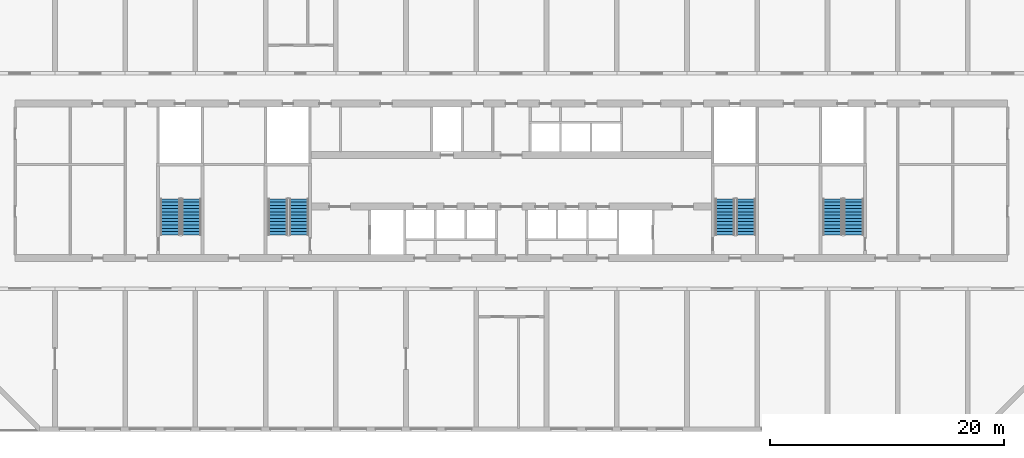
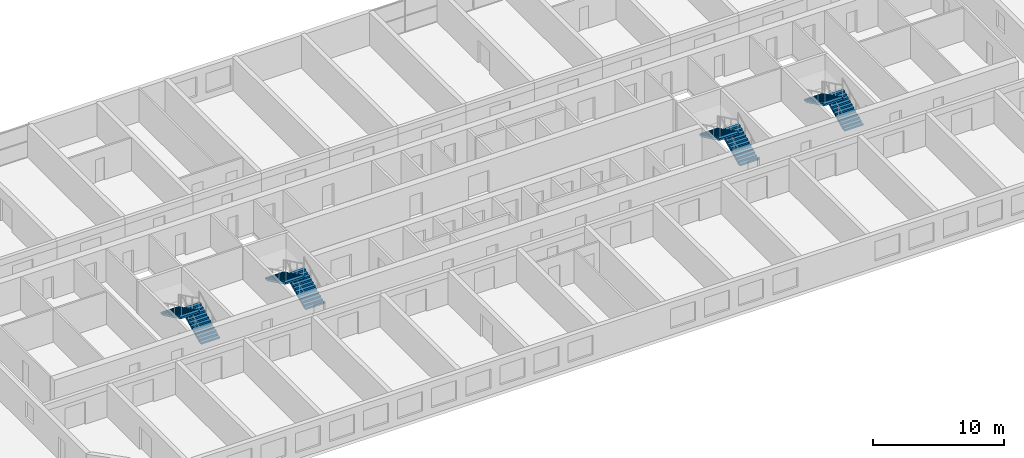
# One storey, part 17 of 21: 8 stair flights, 4 elements without a shape of their own.
"""IFC4 building model written with IfcOpenShell, lengths in metres."""

from ifc_helpers import new_model, si_unit, direction, frame, origin, place, context, subcontext, project, spatial, polyline, outline, extrude, material, layer, layer_set, type_object, element, aggregate, save


model = new_model("IFC4")

# Units and contexts
model_context = context("Model", 3, precision=1e-05, world=origin(), true_north=direction((0.0, 1.0)))
body_context = subcontext(model_context, "Body", "Model", "MODEL_VIEW")
ifc_project = project(units=[si_unit("LENGTHUNIT", "METRE"), si_unit("AREAUNIT", "SQUARE_METRE"), si_unit("VOLUMEUNIT", "CUBIC_METRE"), si_unit("PLANEANGLEUNIT", "RADIAN"), si_unit("MASSUNIT", "GRAM", prefix="KILO")], contexts=[model_context])

# Site, building, storey
site_placement = place(None, origin())
site = spatial("IfcSite", under=ifc_project, at=site_placement, CompositionType="ELEMENT")
building_placement = place(site_placement, origin())
building = spatial("IfcBuilding", under=site, at=building_placement, Name="Poui Terraces", CompositionType="ELEMENT")
storey_placement = place(building_placement, frame((0.0, 0.0, 53.10009765625)))
storey = spatial("IfcBuildingStorey", under=building, at=storey_placement, Name="L14", CompositionType="ELEMENT", Elevation=53.10009765625)

# Stair, stair flights
ifc_material = material(Name="Concrete 80 MPa", Category="concrete")
stair_type = type_object("IfcStairType", Name="EXIT STAIR 1650 80 MPA", PredefinedType="HALF_TURN_STAIR", material=ifc_material)
stair_1_placement = place(storey_placement, origin())
stair_1 = element("IfcStair", 1, at=stair_1_placement, inside=storey, type_object=stair_type, Name="L14 CORE STAIR EAST", PredefinedType="HALF_TURN_STAIR")
ifc_layer = layer(ifc_material, 0.14990234375)
ifc_layer_set = layer_set([ifc_layer], Name="Concrete 80 MPa")
stair_flight_type = type_object("IfcStairFlightType", Name="STAIR FLIGHT 12 RISERS 138 RISE 80 MPA", PredefinedType="STRAIGHT", material=ifc_layer_set)
stair_flight_1_placement = place(storey_placement, frame((71.050048828125, 16.60009765625, 0.0), z_axis=(0.0, 0.0, 1.0), x_axis=(0.0, 1.0, 0.0)))
stair_flight_1 = element("IfcStairFlight", 2, at=stair_flight_1_placement, type_object=stair_flight_type, Name="ST-CE flight 1", NumberOfRisers=12, NumberOfTreads=11, PredefinedType="STRAIGHT", RiserHeight=0.1375, TreadLength=0.28, context=body_context, shape_type="SweptSolid", body=[
    extrude(outline(polyline([(0.0, 0.0), (0.0, 0.137451171875), (0.280029296875, 0.137451171875), (0.280029296875, 0.27490234375), (0.56005859375, 0.27490234375), (0.56005859375, 0.41259765625), (0.840087890625, 0.41259765625), (0.840087890625, 0.550048828125), (1.1201171875, 0.550048828125), (1.1201171875, 0.6875), (1.39990234375, 0.6875), (1.39990234375, 0.824951171875), (1.679931640625, 0.824951171875), (1.679931640625, 0.96240234375), (1.9599609375, 0.96240234375), (1.9599609375, 1.10009765625), (2.239990234375, 1.10009765625), (2.239990234375, 1.237548828125), (2.52001953125, 1.237548828125), (2.52001953125, 1.375), (2.800048828125, 1.375), (2.800048828125, 1.512451171875), (3.080078125, 1.512451171875), (3.080078125, 1.64990234375), (3.080078125, 1.345458984375), (0.340087890625, 0.0), (0.0, 0.0)])), frame((0.0, 0.824951171875, 0.0), z_axis=(0.0, -1.0, 0.0), x_axis=(1.0, 0.0, 0.0)), (0.0, 0.0, 1.0), 1.64990234375),
])
stair_flight_2_placement = place(storey_placement, frame((69.25, 19.679931640625, 1.64990234375), z_axis=(0.0, 0.0, 1.0), x_axis=(0.0, -1.0, 0.0)))
stair_flight_2 = element("IfcStairFlight", 3, at=stair_flight_2_placement, type_object=stair_flight_type, Name="ST-CE flight 2", NumberOfRisers=12, NumberOfTreads=11, PredefinedType="STRAIGHT", RiserHeight=0.1375, TreadLength=0.28, context=body_context, shape_type="SweptSolid", body=[
    extrude(outline(polyline([(0.0, 0.0), (0.0, 0.137451171875), (0.280029296875, 0.137451171875), (0.280029296875, 0.27490234375), (0.56005859375, 0.27490234375), (0.56005859375, 0.41259765625), (0.840087890625, 0.41259765625), (0.840087890625, 0.550048828125), (1.1201171875, 0.550048828125), (1.1201171875, 0.6875), (1.39990234375, 0.6875), (1.39990234375, 0.824951171875), (1.679931640625, 0.824951171875), (1.679931640625, 0.96240234375), (1.9599609375, 0.96240234375), (1.9599609375, 1.10009765625), (2.239990234375, 1.10009765625), (2.239990234375, 1.237548828125), (2.52001953125, 1.237548828125), (2.52001953125, 1.375), (2.800048828125, 1.375), (2.800048828125, 1.512451171875), (3.080078125, 1.512451171875), (3.080078125, 1.64990234375), (3.080078125, 1.345458984375), (0.340087890625, 0.0), (0.0, 0.0)])), frame((0.0, 0.824951171875, 0.0), z_axis=(0.0, -1.0, 0.0), x_axis=(1.0, 0.0, 0.0)), (0.0, 0.0, 1.0), 1.64990234375),
])
aggregate(stair_1, [stair_flight_1, stair_flight_2])

stair_2_placement = place(storey_placement, origin())
stair_2 = element("IfcStair", 4, at=stair_2_placement, inside=storey, type_object=stair_type, Name="L14 CORE STAIR WEST", PredefinedType="HALF_TURN_STAIR")
stair_flight_3_placement = place(storey_placement, frame((32.85009765625, 16.60009765625, 0.0), z_axis=(0.0, 0.0, 1.0), x_axis=(0.0, 1.0, 0.0)))
stair_flight_3 = element("IfcStairFlight", 5, at=stair_flight_3_placement, type_object=stair_flight_type, Name="ST-CW flight 1", NumberOfRisers=12, NumberOfTreads=11, PredefinedType="STRAIGHT", RiserHeight=0.1375, TreadLength=0.28, context=body_context, shape_type="SweptSolid", body=[
    extrude(outline(polyline([(0.0, 0.0), (0.0, 0.137451171875), (0.280029296875, 0.137451171875), (0.280029296875, 0.27490234375), (0.56005859375, 0.27490234375), (0.56005859375, 0.41259765625), (0.840087890625, 0.41259765625), (0.840087890625, 0.550048828125), (1.1201171875, 0.550048828125), (1.1201171875, 0.6875), (1.39990234375, 0.6875), (1.39990234375, 0.824951171875), (1.679931640625, 0.824951171875), (1.679931640625, 0.96240234375), (1.9599609375, 0.96240234375), (1.9599609375, 1.10009765625), (2.239990234375, 1.10009765625), (2.239990234375, 1.237548828125), (2.52001953125, 1.237548828125), (2.52001953125, 1.375), (2.800048828125, 1.375), (2.800048828125, 1.512451171875), (3.080078125, 1.512451171875), (3.080078125, 1.64990234375), (3.080078125, 1.345458984375), (0.340087890625, 0.0), (0.0, 0.0)])), frame((0.0, 0.824951171875, 0.0), z_axis=(0.0, -1.0, 0.0), x_axis=(1.0, 0.0, 0.0)), (0.0, 0.0, 1.0), 1.64990234375),
])
stair_flight_4_placement = place(storey_placement, frame((31.050048828125, 19.679931640625, 1.64990234375), z_axis=(0.0, 0.0, 1.0), x_axis=(0.0, -1.0, 0.0)))
stair_flight_4 = element("IfcStairFlight", 6, at=stair_flight_4_placement, type_object=stair_flight_type, Name="ST-CW flight 2", NumberOfRisers=12, NumberOfTreads=11, PredefinedType="STRAIGHT", RiserHeight=0.1375, TreadLength=0.28, context=body_context, shape_type="SweptSolid", body=[
    extrude(outline(polyline([(0.0, 0.0), (0.0, 0.137451171875), (0.280029296875, 0.137451171875), (0.280029296875, 0.27490234375), (0.56005859375, 0.27490234375), (0.56005859375, 0.41259765625), (0.840087890625, 0.41259765625), (0.840087890625, 0.550048828125), (1.1201171875, 0.550048828125), (1.1201171875, 0.6875), (1.39990234375, 0.6875), (1.39990234375, 0.824951171875), (1.679931640625, 0.824951171875), (1.679931640625, 0.96240234375), (1.9599609375, 0.96240234375), (1.9599609375, 1.10009765625), (2.239990234375, 1.10009765625), (2.239990234375, 1.237548828125), (2.52001953125, 1.237548828125), (2.52001953125, 1.375), (2.800048828125, 1.375), (2.800048828125, 1.512451171875), (3.080078125, 1.512451171875), (3.080078125, 1.64990234375), (3.080078125, 1.345458984375), (0.340087890625, 0.0), (0.0, 0.0)])), frame((0.0, 0.824951171875, 0.0), z_axis=(0.0, -1.0, 0.0), x_axis=(1.0, 0.0, 0.0)), (0.0, 0.0, 1.0), 1.64990234375),
])
aggregate(stair_2, [stair_flight_3, stair_flight_4])

stair_3_placement = place(storey_placement, origin())
stair_3 = element("IfcStair", 7, at=stair_3_placement, inside=storey, type_object=stair_type, Name="L14 TIP STAIR EAST", PredefinedType="HALF_TURN_STAIR")
stair_flight_5_placement = place(storey_placement, frame((80.25, 16.60009765625, 0.0), z_axis=(0.0, 0.0, 1.0), x_axis=(0.0, 1.0, 0.0)))
stair_flight_5 = element("IfcStairFlight", 8, at=stair_flight_5_placement, type_object=stair_flight_type, Name="ST-E flight 1", NumberOfRisers=12, NumberOfTreads=11, PredefinedType="STRAIGHT", RiserHeight=0.1375, TreadLength=0.28, context=body_context, shape_type="SweptSolid", body=[
    extrude(outline(polyline([(0.0, 0.0), (0.0, 0.137451171875), (0.280029296875, 0.137451171875), (0.280029296875, 0.27490234375), (0.56005859375, 0.27490234375), (0.56005859375, 0.41259765625), (0.840087890625, 0.41259765625), (0.840087890625, 0.550048828125), (1.1201171875, 0.550048828125), (1.1201171875, 0.6875), (1.39990234375, 0.6875), (1.39990234375, 0.824951171875), (1.679931640625, 0.824951171875), (1.679931640625, 0.96240234375), (1.9599609375, 0.96240234375), (1.9599609375, 1.10009765625), (2.239990234375, 1.10009765625), (2.239990234375, 1.237548828125), (2.52001953125, 1.237548828125), (2.52001953125, 1.375), (2.800048828125, 1.375), (2.800048828125, 1.512451171875), (3.080078125, 1.512451171875), (3.080078125, 1.64990234375), (3.080078125, 1.345458984375), (0.340087890625, 0.0), (0.0, 0.0)])), frame((0.0, 0.824951171875, 0.0), z_axis=(0.0, -1.0, 0.0), x_axis=(1.0, 0.0, 0.0)), (0.0, 0.0, 1.0), 1.64990234375),
])
stair_flight_6_placement = place(storey_placement, frame((78.449951171875, 19.679931640625, 1.64990234375), z_axis=(0.0, 0.0, 1.0), x_axis=(0.0, -1.0, 0.0)))
stair_flight_6 = element("IfcStairFlight", 9, at=stair_flight_6_placement, type_object=stair_flight_type, Name="ST-E flight 2", NumberOfRisers=12, NumberOfTreads=11, PredefinedType="STRAIGHT", RiserHeight=0.1375, TreadLength=0.28, context=body_context, shape_type="SweptSolid", body=[
    extrude(outline(polyline([(0.0, 0.0), (0.0, 0.137451171875), (0.280029296875, 0.137451171875), (0.280029296875, 0.27490234375), (0.56005859375, 0.27490234375), (0.56005859375, 0.41259765625), (0.840087890625, 0.41259765625), (0.840087890625, 0.550048828125), (1.1201171875, 0.550048828125), (1.1201171875, 0.6875), (1.39990234375, 0.6875), (1.39990234375, 0.824951171875), (1.679931640625, 0.824951171875), (1.679931640625, 0.96240234375), (1.9599609375, 0.96240234375), (1.9599609375, 1.10009765625), (2.239990234375, 1.10009765625), (2.239990234375, 1.237548828125), (2.52001953125, 1.237548828125), (2.52001953125, 1.375), (2.800048828125, 1.375), (2.800048828125, 1.512451171875), (3.080078125, 1.512451171875), (3.080078125, 1.64990234375), (3.080078125, 1.345458984375), (0.340087890625, 0.0), (0.0, 0.0)])), frame((0.0, 0.824951171875, 0.0), z_axis=(0.0, -1.0, 0.0), x_axis=(1.0, 0.0, 0.0)), (0.0, 0.0, 1.0), 1.64990234375),
])
aggregate(stair_3, [stair_flight_5, stair_flight_6])

stair_4_placement = place(storey_placement, origin())
stair_4 = element("IfcStair", 10, at=stair_4_placement, inside=storey, type_object=stair_type, Name="L14 TIP STAIR WEST", PredefinedType="HALF_TURN_STAIR")
stair_flight_7_placement = place(storey_placement, frame((23.64990234375, 16.60009765625, 0.0), z_axis=(0.0, 0.0, 1.0), x_axis=(0.0, 1.0, 0.0)))
stair_flight_7 = element("IfcStairFlight", 11, at=stair_flight_7_placement, type_object=stair_flight_type, Name="ST-W flight 1", NumberOfRisers=12, NumberOfTreads=11, PredefinedType="STRAIGHT", RiserHeight=0.1375, TreadLength=0.28, context=body_context, shape_type="SweptSolid", body=[
    extrude(outline(polyline([(0.0, 0.0), (0.0, 0.137451171875), (0.280029296875, 0.137451171875), (0.280029296875, 0.27490234375), (0.56005859375, 0.27490234375), (0.56005859375, 0.41259765625), (0.840087890625, 0.41259765625), (0.840087890625, 0.550048828125), (1.1201171875, 0.550048828125), (1.1201171875, 0.6875), (1.39990234375, 0.6875), (1.39990234375, 0.824951171875), (1.679931640625, 0.824951171875), (1.679931640625, 0.96240234375), (1.9599609375, 0.96240234375), (1.9599609375, 1.10009765625), (2.239990234375, 1.10009765625), (2.239990234375, 1.237548828125), (2.52001953125, 1.237548828125), (2.52001953125, 1.375), (2.800048828125, 1.375), (2.800048828125, 1.512451171875), (3.080078125, 1.512451171875), (3.080078125, 1.64990234375), (3.080078125, 1.345458984375), (0.340087890625, 0.0), (0.0, 0.0)])), frame((0.0, 0.824951171875, 0.0), z_axis=(0.0, -1.0, 0.0), x_axis=(1.0, 0.0, 0.0)), (0.0, 0.0, 1.0), 1.64990234375),
])
stair_flight_8_placement = place(storey_placement, frame((21.85009765625, 19.679931640625, 1.64990234375), z_axis=(0.0, 0.0, 1.0), x_axis=(0.0, -1.0, 0.0)))
stair_flight_8 = element("IfcStairFlight", 12, at=stair_flight_8_placement, type_object=stair_flight_type, Name="ST-W flight 2", NumberOfRisers=12, NumberOfTreads=11, PredefinedType="STRAIGHT", RiserHeight=0.1375, TreadLength=0.28, context=body_context, shape_type="SweptSolid", body=[
    extrude(outline(polyline([(0.0, 0.0), (0.0, 0.137451171875), (0.280029296875, 0.137451171875), (0.280029296875, 0.27490234375), (0.56005859375, 0.27490234375), (0.56005859375, 0.41259765625), (0.840087890625, 0.41259765625), (0.840087890625, 0.550048828125), (1.1201171875, 0.550048828125), (1.1201171875, 0.6875), (1.39990234375, 0.6875), (1.39990234375, 0.824951171875), (1.679931640625, 0.824951171875), (1.679931640625, 0.96240234375), (1.9599609375, 0.96240234375), (1.9599609375, 1.10009765625), (2.239990234375, 1.10009765625), (2.239990234375, 1.237548828125), (2.52001953125, 1.237548828125), (2.52001953125, 1.375), (2.800048828125, 1.375), (2.800048828125, 1.512451171875), (3.080078125, 1.512451171875), (3.080078125, 1.64990234375), (3.080078125, 1.345458984375), (0.340087890625, 0.0), (0.0, 0.0)])), frame((0.0, 0.824951171875, 0.0), z_axis=(0.0, -1.0, 0.0), x_axis=(1.0, 0.0, 0.0)), (0.0, 0.0, 1.0), 1.64990234375),
])
aggregate(stair_4, [stair_flight_7, stair_flight_8])

save(model, "model.ifc")
